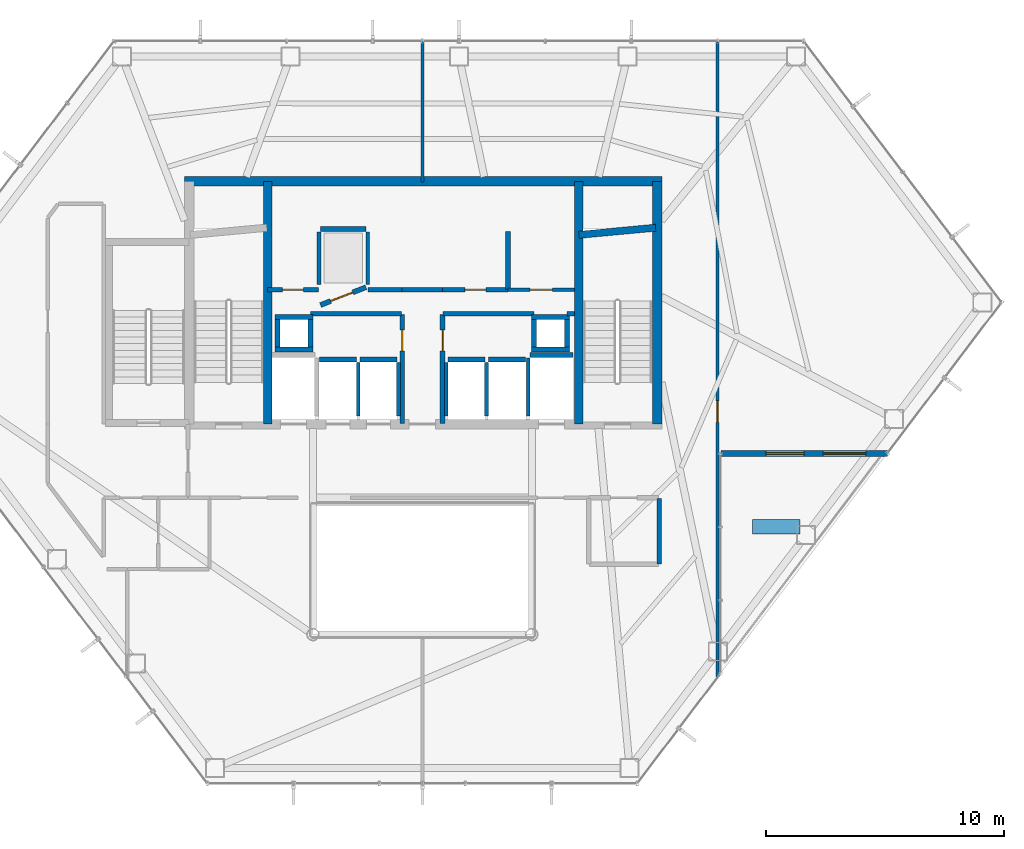
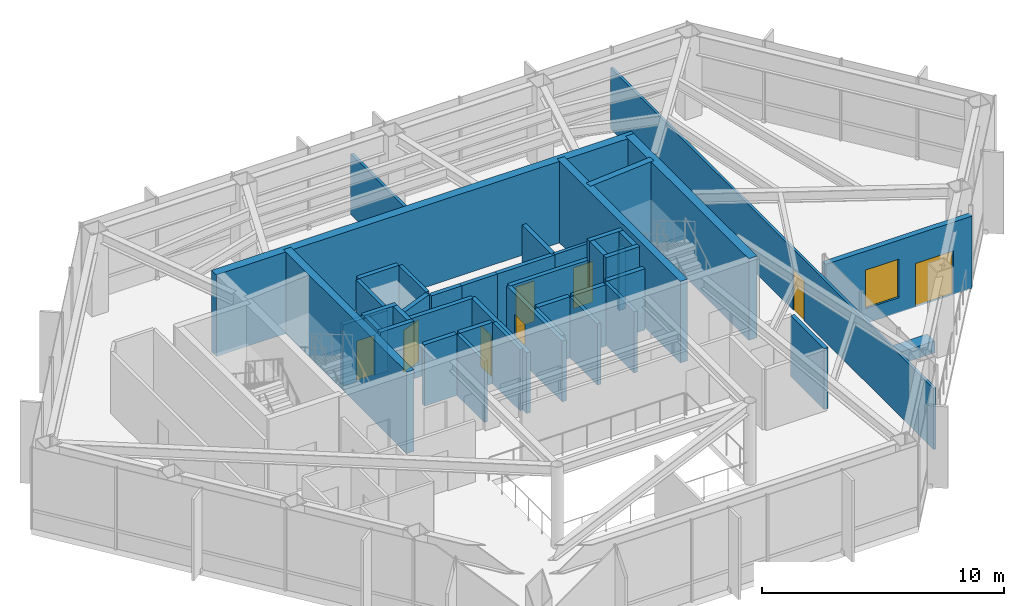
# One storey, part 23 of 27: 43 walls, 8 doors, 1 window, 9 openings.
"""IFC4 building model written with IfcOpenShell, lengths in metres."""

from ifc_helpers import new_model, si_unit, direction, frame, frame_2d, origin, place, context, subcontext, project, spatial, rectangle, extrude, material, layer, layer_set, type_object, element, fill, save


model = new_model("IFC4")

# Units and contexts
model_context = context("Model", 3, precision=1e-05, world=origin(), true_north=direction((0.0, 1.0)))
body_context = subcontext(model_context, "Body", "Model", "MODEL_VIEW")
ifc_project = project(units=[si_unit("LENGTHUNIT", "METRE"), si_unit("AREAUNIT", "SQUARE_METRE"), si_unit("VOLUMEUNIT", "CUBIC_METRE"), si_unit("PLANEANGLEUNIT", "RADIAN"), si_unit("MASSUNIT", "GRAM", prefix="KILO")], contexts=[model_context])

# Site, building, storey
site_placement = place(None, origin())
site = spatial("IfcSite", under=ifc_project, at=site_placement, CompositionType="ELEMENT")
building_placement = place(site_placement, origin())
building = spatial("IfcBuilding", under=site, at=building_placement, Name="Zarrinselat Tower", CompositionType="ELEMENT")
storey_placement = place(building_placement, frame((0.0, 0.0, 114.580078125)))
storey = spatial("IfcBuildingStorey", under=building, at=storey_placement, Name="L27", CompositionType="ELEMENT", Elevation=114.580078125)

# Wall, openings, door, window
ifc_material_1 = material(Name="Honed Cream Travertine Stone", Category="masonry")
ifc_layer_1 = layer(ifc_material_1, 0.260009765625)
ifc_layer_set_1 = layer_set([ifc_layer_1], Name="Honed Cream Travertine Stone")
wall_type_1 = type_object("IfcWallType", Name="WAL-EXT-STONE-260", PredefinedType="STANDARD", material=ifc_layer_set_1)
wall_1_placement = place(storey_placement, frame((57.9384765625, 32.014892578125, 0.0), z_axis=(0.0, 0.0, 1.0), x_axis=(-1.0, 0.0, 0.0)))
wall_1 = element("IfcWall", 1, at=wall_1_placement, inside=storey, type_object=wall_type_1, Name="L27 Garden Terrace Portal Wall", PredefinedType="STANDARD", context=body_context, shape_type="SweptSolid", body=[
    extrude(rectangle(XDim=6.991943359375, YDim=0.260009765625, at=frame_2d((3.49609375, 0.0))), origin(), (0.0, 0.0, 1.0), 3.64990234375),
])
opening_1_placement = place(wall_1_placement, frame((0.89990234375, 0.0, 0.0)))
opening_1 = element("IfcOpeningElement", 2, at=opening_1_placement, cuts=wall_1, Name="Opening ED-04", PredefinedType="OPENING", context=body_context, shape_type="SweptSolid", body=[
    extrude(rectangle(XDim=1.800048828125, YDim=2.199951171875, at=frame_2d((0.89990234375, 1.10009765625))), frame((0.0, 0.139892578125, 0.0), z_axis=(0.0, -1.0, 0.0), x_axis=(1.0, 0.0, 0.0)), (0.0, 0.0, 1.0), 0.280029296875),
])
opening_2_placement = place(wall_1_placement, frame((3.5, 0.0, 0.75)))
opening_2 = element("IfcOpeningElement", 3, at=opening_2_placement, cuts=wall_1, Name="Opening WN-4", PredefinedType="OPENING", context=body_context, shape_type="SweptSolid", body=[
    extrude(rectangle(XDim=1.60009765625, YDim=1.949951171875, at=frame_2d((0.800048828125, 0.97509765625))), frame((0.0, 0.139892578125, 0.0), z_axis=(0.0, -1.0, 0.0), x_axis=(1.0, 0.0, 0.0)), (0.0, 0.0, 1.0), 0.280029296875),
])
ifc_material_2 = material(Name="Double Low-E Laminated Solar Glass", Category="glass")
door_type_1 = type_object("IfcDoorType", Name="DR-EXT-TERR-1800", OperationType="NOTDEFINED", PredefinedType="DOOR", material=ifc_material_2)
door_1_placement = place(opening_1_placement, origin())
door_1 = element("IfcDoor", 4, at=door_1_placement, inside=storey, type_object=door_type_1, Name="L27 Outdoor Garden Terrace Double Door", OperationType="DOUBLE_DOOR_SINGLE_SWING", OverallHeight=2.199951171875, OverallWidth=1.800048828125, PredefinedType="DOOR", context=body_context, shape_type="SweptSolid", body=[
    extrude(rectangle(XDim=1.800048828125, YDim=2.199951171875, at=frame_2d((0.89990234375, 1.10009765625))), frame((0.0, 0.02490234375, 0.0), z_axis=(0.0, -1.0, 0.0), x_axis=(1.0, 0.0, 0.0)), (0.0, 0.0, 1.0), 0.050048828125),
])
fill(opening_1, door_1)
ifc_material_3 = material(Name="Double Low-E Laminated Solar Glass", Category="glass")
window_type = type_object("IfcWindowType", Name="WIN-SKYG-1600", PartitioningType="SINGLE_PANEL", PredefinedType="WINDOW", material=ifc_material_3)
window_placement = place(opening_2_placement, origin())
window = element("IfcWindow", 5, at=window_placement, inside=storey, type_object=window_type, Name="L27 Garden Pavilion Window L", OverallHeight=1.949951171875, OverallWidth=1.60009765625, PartitioningType="SINGLE_PANEL", PredefinedType="WINDOW", context=body_context, shape_type="SweptSolid", body=[
    extrude(rectangle(XDim=1.60009765625, YDim=1.949951171875, at=frame_2d((0.800048828125, 0.97509765625))), frame((0.0, 0.030029296875, 0.0), z_axis=(0.0, -1.0, 0.0), x_axis=(1.0, 0.0, 0.0)), (0.0, 0.0, 1.0), 0.06005859375),
])
fill(opening_2, window)

# Wall
ifc_material_4 = material(Name="Concrete C40/50", Category="concrete")
ifc_layer_2 = layer(ifc_material_4, 0.18994140625)
ifc_layer_set_2 = layer_set([ifc_layer_2], Name="Concrete C40/50")
wall_type_2 = type_object("IfcWallType", Name="WAL-PART-EI120", PredefinedType="PARTITIONING", material=ifc_layer_set_2)
wall_2_placement = place(storey_placement, frame((48.35009765625, 27.3701171875, 0.0), z_axis=(0.0, 0.0, 1.0), x_axis=(0.0, 1.0, 0.0)))
element("IfcWall", 6, at=wall_2_placement, inside=storey, type_object=wall_type_2, Name="L27 Partition Wall 19", PredefinedType="PARTITIONING", context=body_context, shape_type="SweptSolid", body=[
    extrude(rectangle(XDim=2.759765625, YDim=0.18994140625, at=frame_2d((1.3798828125, 0.0))), origin(), (0.0, 0.0, 1.0), 3.076904296875),
])

# Wall, opening, door
ifc_material_5 = material(Name="Fire-Rated Gypsum Board Partition", Category="gypsum")
ifc_layer_3 = layer(ifc_material_5, 0.14990234375)
ifc_layer_set_3 = layer_set([ifc_layer_3], Name="Fire-Rated Gypsum Board Partition")
wall_type_3 = type_object("IfcWallType", Name="WAL-PART-EI60", PredefinedType="PARTITIONING", material=ifc_layer_set_3)
wall_3_placement = place(storey_placement, frame((42.0048828125, 38.889892578125, 0.0), z_axis=(0.0, 0.0, 1.0), x_axis=(1.0, 0.0, 0.0)))
wall_3 = element("IfcWall", 7, at=wall_3_placement, inside=storey, type_object=wall_type_3, Name="L27 Partition Wall 7", PredefinedType="PARTITIONING", context=body_context, shape_type="SweptSolid", body=[
    extrude(rectangle(XDim=2.780029296875, YDim=0.14990234375, at=frame_2d((1.39013671875, 0.0))), origin(), (0.0, 0.0, 1.0), 3.076904296875),
])
opening_3_placement = place(wall_3_placement, frame((0.919921875, 0.0, 0.0)))
opening_3 = element("IfcOpeningElement", 8, at=opening_3_placement, cuts=wall_3, Name="Opening ID-04", PredefinedType="OPENING", context=body_context, shape_type="SweptSolid", body=[
    extrude(rectangle(XDim=0.93994140625, YDim=2.050048828125, at=frame_2d((0.469970703125, 1.02490234375))), frame((0.0, 0.0849609375, 0.0), z_axis=(0.0, -1.0, 0.0), x_axis=(1.0, 0.0, 0.0)), (0.0, 0.0, 1.0), 0.169921875),
])
ifc_material_6 = material(Name="Fire-Rated Gypsum Board Partition")
door_type_2 = type_object("IfcDoorType", Name="DR-INT-FD30-ENT", OperationType="NOTDEFINED", PredefinedType="DOOR", material=ifc_material_6)
door_2_placement = place(opening_3_placement, origin())
door_2 = element("IfcDoor", 9, at=door_2_placement, inside=storey, type_object=door_type_2, Name="L27 Interior Door P7", OperationType="SINGLE_SWING_LEFT", OverallHeight=2.050048828125, OverallWidth=0.93994140625, PredefinedType="DOOR", context=body_context, shape_type="SweptSolid", body=[
    extrude(rectangle(XDim=0.93994140625, YDim=2.050048828125, at=frame_2d((0.469970703125, 1.02490234375))), frame((0.0, 0.02490234375, 0.0), z_axis=(0.0, -1.0, 0.0), x_axis=(1.0, 0.0, 0.0)), (0.0, 0.0, 1.0), 0.050048828125),
])
fill(opening_3, door_2)

ifc_material_7 = material(Name="Concrete C40/50", Category="concrete")
ifc_layer_4 = layer(ifc_material_7, 0.199951171875)
ifc_layer_set_4 = layer_set([ifc_layer_4], Name="Concrete C40/50")
wall_type_4 = type_object("IfcWallType", Name="WAL-PART-PLANT", PredefinedType="PARTITIONING", material=ifc_layer_set_4)
wall_4_placement = place(storey_placement, frame((37.550048828125, 33.264892578125, 0.0), z_axis=(0.0, 0.0, 1.0), x_axis=(0.0, 1.0, 0.0)))
wall_4 = element("IfcWall", 10, at=wall_4_placement, inside=storey, type_object=wall_type_4, Name="L27 Partition Wall 1", PredefinedType="PARTITIONING", context=body_context, shape_type="SweptSolid", body=[
    extrude(rectangle(XDim=4.59521484375, YDim=0.199951171875, at=frame_2d((2.297607421875, 0.0))), origin(), (0.0, 0.0, 1.0), 3.076904296875),
])
opening_4_placement = place(wall_4_placement, frame((3.0576171875, 0.0, 0.0)))
opening_4 = element("IfcOpeningElement", 11, at=opening_4_placement, cuts=wall_4, Name="Opening ID-03", PredefinedType="OPENING", context=body_context, shape_type="SweptSolid", body=[
    extrude(rectangle(XDim=0.8798828125, YDim=2.050048828125, at=frame_2d((0.43994140625, 1.02490234375))), frame((0.0, 0.10986328125, 0.0), z_axis=(0.0, -1.0, 0.0), x_axis=(1.0, 0.0, 0.0)), (0.0, 0.0, 1.0), 0.219970703125),
])
ifc_material_8 = material(Name="Steel S355J2", Category="steel")
door_type_3 = type_object("IfcDoorType", Name="DR-INT-FD60-S", OperationType="NOTDEFINED", PredefinedType="DOOR", material=ifc_material_8)
door_3_placement = place(opening_4_placement, origin())
door_3 = element("IfcDoor", 12, at=door_3_placement, inside=storey, type_object=door_type_3, Name="L27 Interior Door P1", OperationType="SINGLE_SWING_RIGHT", OverallHeight=2.050048828125, OverallWidth=0.8798828125, PredefinedType="DOOR", context=body_context, shape_type="SweptSolid", body=[
    extrude(rectangle(XDim=0.8798828125, YDim=2.050048828125, at=frame_2d((0.43994140625, 1.02490234375))), frame((0.0, 0.02490234375, 0.0), z_axis=(0.0, -1.0, 0.0), x_axis=(1.0, 0.0, 0.0)), (0.0, 0.0, 1.0), 0.050048828125),
])
fill(opening_4, door_3)

# Wall
wall_5_placement = place(storey_placement, frame((33.705078125, 37.8798828125, 0.0), z_axis=(0.0, 0.0, 1.0), x_axis=(1.0, 0.0, 0.0)))
element("IfcWall", 13, at=wall_5_placement, inside=storey, type_object=wall_type_4, Name="L27 Partition Wall 2", PredefinedType="PARTITIONING", context=body_context, shape_type="SweptSolid", body=[
    extrude(rectangle(XDim=3.824951171875, YDim=0.199951171875, at=frame_2d((1.91259765625, 0.0))), origin(), (0.0, 0.0, 1.0), 3.076904296875),
])

# Wall, opening, door
wall_6_placement = place(storey_placement, frame((31.885009765625, 38.889892578125, 0.0), z_axis=(0.0, 0.0, 1.0), x_axis=(1.0, 0.0, 0.0)))
wall_6 = element("IfcWall", 14, at=wall_6_placement, inside=storey, type_object=wall_type_4, Name="L27 Partition Wall 3", PredefinedType="PARTITIONING", context=body_context, shape_type="SweptSolid", body=[
    extrude(rectangle(XDim=2.14990234375, YDim=0.199951171875, at=frame_2d((1.074951171875, 0.0))), origin(), (0.0, 0.0, 1.0), 3.076904296875),
])
opening_5_placement = place(wall_6_placement, frame((0.635009765625, 0.0, 0.0)))
opening_5 = element("IfcOpeningElement", 15, at=opening_5_placement, cuts=wall_6, Name="Opening ID-03", PredefinedType="OPENING", context=body_context, shape_type="SweptSolid", body=[
    extrude(rectangle(XDim=0.8798828125, YDim=2.050048828125, at=frame_2d((0.43994140625, 1.02490234375))), frame((0.0, 0.10986328125, 0.0), z_axis=(0.0, -1.0, 0.0), x_axis=(1.0, 0.0, 0.0)), (0.0, 0.0, 1.0), 0.219970703125),
])
door_4_placement = place(opening_5_placement, origin())
door_4 = element("IfcDoor", 16, at=door_4_placement, inside=storey, type_object=door_type_3, Name="L27 Interior Door P3", OperationType="SINGLE_SWING_LEFT", OverallHeight=2.050048828125, OverallWidth=0.8798828125, PredefinedType="DOOR", context=body_context, shape_type="SweptSolid", body=[
    extrude(rectangle(XDim=0.8798828125, YDim=2.050048828125, at=frame_2d((0.43994140625, 1.02490234375))), frame((0.0, 0.02490234375, 0.0), z_axis=(0.0, -1.0, 0.0), x_axis=(1.0, 0.0, 0.0)), (0.0, 0.0, 1.0), 0.050048828125),
])
fill(opening_5, door_4)

# Walls
wall_7_placement = place(storey_placement, frame((36.114990234375, 38.889892578125, 0.0), z_axis=(0.0, 0.0, 1.0), x_axis=(1.0, 0.0, 0.0)))
element("IfcWall", 17, at=wall_7_placement, inside=storey, type_object=wall_type_4, Name="L27 Partition Wall 4", PredefinedType="PARTITIONING", context=body_context, shape_type="SweptSolid", body=[
    extrude(rectangle(XDim=1.43505859375, YDim=0.199951171875, at=frame_2d((0.717529296875, 0.0))), origin(), (0.0, 0.0, 1.0), 3.076904296875),
])
wall_8_placement = place(storey_placement, frame((37.550048828125, 38.889892578125, 0.0), z_axis=(0.0, 0.0, 1.0), x_axis=(1.0, 0.0, 0.0)))
element("IfcWall", 18, at=wall_8_placement, inside=storey, type_object=wall_type_4, Name="L27 Partition Wall 5", PredefinedType="PARTITIONING", context=body_context, shape_type="SweptSolid", body=[
    extrude(rectangle(XDim=1.699951171875, YDim=0.199951171875, at=frame_2d((0.85009765625, 0.0))), origin(), (0.0, 0.0, 1.0), 3.076904296875),
])

# Wall, opening, door
wall_9_placement = place(storey_placement, frame((39.25, 38.889892578125, 0.0), z_axis=(0.0, 0.0, 1.0), x_axis=(1.0, 0.0, 0.0)))
wall_9 = element("IfcWall", 19, at=wall_9_placement, inside=storey, type_object=wall_type_4, Name="L27 Partition Wall 6", PredefinedType="PARTITIONING", context=body_context, shape_type="SweptSolid", body=[
    extrude(rectangle(XDim=2.7451171875, YDim=0.199951171875, at=frame_2d((1.37255859375, 0.0))), origin(), (0.0, 0.0, 1.0), 3.076904296875),
])
opening_6_placement = place(wall_9_placement, frame((0.9326171875, 0.0, 0.0)))
opening_6 = element("IfcOpeningElement", 20, at=opening_6_placement, cuts=wall_9, Name="Opening ID-03", PredefinedType="OPENING", context=body_context, shape_type="SweptSolid", body=[
    extrude(rectangle(XDim=0.8798828125, YDim=2.050048828125, at=frame_2d((0.43994140625, 1.02490234375))), frame((0.0, 0.10986328125, 0.0), z_axis=(0.0, -1.0, 0.0), x_axis=(1.0, 0.0, 0.0)), (0.0, 0.0, 1.0), 0.219970703125),
])
door_5_placement = place(opening_6_placement, origin())
door_5 = element("IfcDoor", 21, at=door_5_placement, inside=storey, type_object=door_type_3, Name="L27 Interior Door P6", OperationType="SINGLE_SWING_RIGHT", OverallHeight=2.050048828125, OverallWidth=0.8798828125, PredefinedType="DOOR", context=body_context, shape_type="SweptSolid", body=[
    extrude(rectangle(XDim=0.8798828125, YDim=2.050048828125, at=frame_2d((0.43994140625, 1.02490234375))), frame((0.0, 0.02490234375, 0.0), z_axis=(0.0, -1.0, 0.0), x_axis=(1.0, 0.0, 0.0)), (0.0, 0.0, 1.0), 0.050048828125),
])
fill(opening_6, door_5)

# Walls
wall_10_placement = place(storey_placement, frame((39.27001953125, 37.8798828125, 0.0), z_axis=(0.0, 0.0, 1.0), x_axis=(1.0, 0.0, 0.0)))
element("IfcWall", 22, at=wall_10_placement, inside=storey, type_object=wall_type_4, Name="L27 Partition Wall 8", PredefinedType="PARTITIONING", context=body_context, shape_type="SweptSolid", body=[
    extrude(rectangle(XDim=3.824951171875, YDim=0.199951171875, at=frame_2d((1.91259765625, 0.0))), origin(), (0.0, 0.0, 1.0), 3.076904296875),
])
wall_11_placement = place(storey_placement, frame((44.485107421875, 37.8798828125, 0.0), z_axis=(0.0, 0.0, 1.0), x_axis=(1.0, 0.0, 0.0)))
element("IfcWall", 23, at=wall_11_placement, inside=storey, type_object=wall_type_4, Name="L27 Partition Wall 9", PredefinedType="PARTITIONING", context=body_context, shape_type="SweptSolid", body=[
    extrude(rectangle(XDim=0.2998046875, YDim=0.199951171875, at=frame_2d((0.14990234375, 0.0))), origin(), (0.0, 0.0, 1.0), 3.076904296875),
])

# Wall, opening, door
wall_12_placement = place(storey_placement, frame((39.25, 33.264892578125, 0.0), z_axis=(0.0, 0.0, 1.0), x_axis=(0.0, 1.0, 0.0)))
wall_12 = element("IfcWall", 24, at=wall_12_placement, inside=storey, type_object=wall_type_4, Name="L27 Partition Wall 10", PredefinedType="PARTITIONING", context=body_context, shape_type="SweptSolid", body=[
    extrude(rectangle(XDim=4.59521484375, YDim=0.199951171875, at=frame_2d((2.297607421875, 0.0))), origin(), (0.0, 0.0, 1.0), 3.076904296875),
])
opening_7_placement = place(wall_12_placement, frame((3.0576171875, 0.0, 0.0)))
opening_7 = element("IfcOpeningElement", 25, at=opening_7_placement, cuts=wall_12, Name="Opening ID-03", PredefinedType="OPENING", context=body_context, shape_type="SweptSolid", body=[
    extrude(rectangle(XDim=0.8798828125, YDim=2.050048828125, at=frame_2d((0.43994140625, 1.02490234375))), frame((0.0, 0.10986328125, 0.0), z_axis=(0.0, -1.0, 0.0), x_axis=(1.0, 0.0, 0.0)), (0.0, 0.0, 1.0), 0.219970703125),
])
door_6_placement = place(opening_7_placement, origin())
door_6 = element("IfcDoor", 26, at=door_6_placement, inside=storey, type_object=door_type_3, Name="L27 Interior Door P10", OperationType="SINGLE_SWING_RIGHT", OverallHeight=2.050048828125, OverallWidth=0.8798828125, PredefinedType="DOOR", context=body_context, shape_type="SweptSolid", body=[
    extrude(rectangle(XDim=0.8798828125, YDim=2.050048828125, at=frame_2d((0.43994140625, 1.02490234375))), frame((0.0, 0.02490234375, 0.0), z_axis=(0.0, -1.0, 0.0), x_axis=(1.0, 0.0, 0.0)), (0.0, 0.0, 1.0), 0.050048828125),
])
fill(opening_7, door_6)

# Wall
wall_13_placement = place(storey_placement, frame((42.0, 38.909912109375, 0.0), z_axis=(0.0, 0.0, 1.0), x_axis=(0.0, 1.0, 0.0)))
element("IfcWall", 27, at=wall_13_placement, inside=storey, type_object=wall_type_4, Name="L27 Partition Wall 11", PredefinedType="PARTITIONING", context=body_context, shape_type="SweptSolid", body=[
    extrude(rectangle(XDim=2.440185546875, YDim=0.199951171875, at=frame_2d((1.22021484375, 0.0))), origin(), (0.0, 0.0, 1.0), 3.076904296875),
])

# Wall, opening, door
ifc_material_9 = material(Name="Fire-Rated Gypsum Board Partition", Category="gypsum")
ifc_layer_5 = layer(ifc_material_9, 0.1201171875)
ifc_layer_set_5 = layer_set([ifc_layer_5], Name="Fire-Rated Gypsum Board Partition")
wall_type_5 = type_object("IfcWallType", Name="WAL-PART-STD", PredefinedType="PARTITIONING", material=ifc_layer_set_5)
wall_14_placement = place(storey_placement, frame((50.800048828125, 22.607421875, 0.0), z_axis=(0.0, 0.0, 1.0), x_axis=(0.0, 1.0, 0.0)))
wall_14 = element("IfcWall", 28, at=wall_14_placement, inside=storey, type_object=wall_type_5, Name="L27 Partition Wall 37", PredefinedType="PARTITIONING", context=body_context, shape_type="SweptSolid", body=[
    extrude(rectangle(XDim=26.721923828125, YDim=0.1201171875, at=frame_2d((13.36083984375, 0.0))), origin(), (0.0, 0.0, 1.0), 3.076904296875),
])
opening_8_placement = place(wall_14_placement, frame((10.7109375, 0.0, 0.0)))
opening_8 = element("IfcOpeningElement", 29, at=opening_8_placement, cuts=wall_14, Name="Opening ID-05", PredefinedType="OPENING", context=body_context, shape_type="SweptSolid", body=[
    extrude(rectangle(XDim=0.89990234375, YDim=2.050048828125, at=frame_2d((0.449951171875, 1.02490234375))), frame((0.0, 0.070068359375, 0.0), z_axis=(0.0, -1.0, 0.0), x_axis=(1.0, 0.0, 0.0)), (0.0, 0.0, 1.0), 0.14013671875),
])
ifc_material_10 = material(Name="Extruded Aluminium Alloy EN AW-6063 T6", Category="aluminium")
door_type_4 = type_object("IfcDoorType", Name="DR-INT-STD-920", OperationType="NOTDEFINED", PredefinedType="DOOR", material=ifc_material_10)
door_7_placement = place(opening_8_placement, origin())
door_7 = element("IfcDoor", 30, at=door_7_placement, inside=storey, type_object=door_type_4, Name="L27 Interior Door P37", OperationType="SINGLE_SWING_RIGHT", OverallHeight=2.050048828125, OverallWidth=0.89990234375, PredefinedType="DOOR", context=body_context, shape_type="SweptSolid", body=[
    extrude(rectangle(XDim=0.89990234375, YDim=2.050048828125, at=frame_2d((0.449951171875, 1.02490234375))), frame((0.0, 0.02490234375, 0.0), z_axis=(0.0, -1.0, 0.0), x_axis=(1.0, 0.0, 0.0)), (0.0, 0.0, 1.0), 0.050048828125),
])
fill(opening_8, door_7)

# Walls
ifc_material_11 = material(Name="Fire-Rated Gypsum Board Partition", Category="gypsum")
ifc_layer_6 = layer(ifc_material_11, 0.135009765625)
ifc_layer_set_6 = layer_set([ifc_layer_6], Name="Fire-Rated Gypsum Board Partition")
wall_type_6 = type_object("IfcWallType", Name="WAL-PART-WET", PredefinedType="PARTITIONING", material=ifc_layer_set_6)
wall_15_placement = place(storey_placement, frame((38.39990234375, 43.4150390625, 0.0), z_axis=(0.0, 0.0, 1.0), x_axis=(0.0, 1.0, 0.0)))
element("IfcWall", 31, at=wall_15_placement, inside=storey, type_object=wall_type_6, Name="L27 Partition Wall 36", PredefinedType="PARTITIONING", context=body_context, shape_type="SweptSolid", body=[
    extrude(rectangle(XDim=5.914306640625, YDim=0.135009765625, at=frame_2d((2.95703125, 0.0))), origin(), (0.0, 0.0, 1.0), 3.076904296875),
])
ifc_material_12 = material(Name="Honed Cream Travertine Stone", Category="masonry")
ifc_layer_7 = layer(ifc_material_12, 0.199951171875)
ifc_layer_set_7 = layer_set([ifc_layer_7], Name="Honed Cream Travertine Stone")
wall_type_7 = type_object("IfcWallType", Name="WAL-PLANTER-200", PredefinedType="PARAPET", material=ifc_layer_set_7)
wall_16_placement = place(storey_placement, frame((52.273193359375, 28.9287109375, 0.0), z_axis=(0.0, 0.0, 1.0), x_axis=(1.0, 0.0, 0.0)))
element("IfcWall", 32, at=wall_16_placement, inside=storey, type_object=wall_type_7, Name="L27 Badgir Sky Garden Stone PLANTER Bed", PredefinedType="PARAPET", context=body_context, shape_type="SweptSolid", body=[
    extrude(rectangle(XDim=2.0, YDim=0.60009765625, at=frame_2d((1.0, 0.0))), origin(), (0.0, 0.0, 1.0), 0.599853515625),
])
ifc_material_13 = material(Name="Concrete C40/50", Category="concrete")
ifc_layer_8 = layer(ifc_material_13, 0.2099609375)
ifc_layer_set_8 = layer_set([ifc_layer_8], Name="Concrete C40/50")
wall_type_8 = type_object("IfcWallType", Name="WAL-SHAFT-210", PredefinedType="SOLIDWALL", material=ifc_layer_set_8)
wall_17_placement = place(storey_placement, frame((42.919921875, 36.155029296875, 0.0), z_axis=(0.0, 0.0, 1.0), x_axis=(1.0, 0.0, 0.0)))
element("IfcWall", 33, at=wall_17_placement, inside=storey, type_object=wall_type_8, Name="L27 Lift FFL2 North Shaft Wall", PredefinedType="SOLIDWALL", context=body_context, shape_type="SweptSolid", body=[
    extrude(rectangle(XDim=1.800048828125, YDim=0.2099609375, at=frame_2d((0.89990234375, 0.0))), origin(), (0.0, 0.0, 1.0), 3.092041015625),
])
wall_18_placement = place(storey_placement, frame((42.85009765625, 33.580078125, 0.0), z_axis=(0.0, 0.0, 1.0), x_axis=(0.0, 1.0, 0.0)))
element("IfcWall", 34, at=wall_18_placement, inside=storey, type_object=wall_type_8, Name="L27 Lift FFL2 W Shaft Wall", PredefinedType="SOLIDWALL", context=body_context, shape_type="SweptSolid", body=[
    extrude(rectangle(XDim=2.449951171875, YDim=0.159912109375, at=frame_2d((1.22509765625, 0.0))), origin(), (0.0, 0.0, 1.0), 3.092041015625),
])
wall_19_placement = place(storey_placement, frame((34.070068359375, 35.955078125, 0.0), z_axis=(0.0, 0.0, 1.0), x_axis=(1.0, 0.0, 0.0)))
element("IfcWall", 35, at=wall_19_placement, inside=storey, type_object=wall_type_8, Name="L27 Lift PL5 North Shaft Wall", PredefinedType="SOLIDWALL", context=body_context, shape_type="SweptSolid", body=[
    extrude(rectangle(XDim=1.559814453125, YDim=0.2099609375, at=frame_2d((0.77978515625, 0.0))), origin(), (0.0, 0.0, 1.0), 3.092041015625),
])
wall_20_placement = place(storey_placement, frame((35.699951171875, 33.580078125, 0.0), z_axis=(0.0, 0.0, 1.0), x_axis=(0.0, 1.0, 0.0)))
element("IfcWall", 36, at=wall_20_placement, inside=storey, type_object=wall_type_8, Name="L27 Lift PL5 E Shaft Wall", PredefinedType="SOLIDWALL", context=body_context, shape_type="SweptSolid", body=[
    extrude(rectangle(XDim=2.25, YDim=0.159912109375, at=frame_2d((1.125, 0.0))), origin(), (0.0, 0.0, 1.0), 3.092041015625),
])
wall_21_placement = place(storey_placement, frame((35.77001953125, 35.955078125, 0.0), z_axis=(0.0, 0.0, 1.0), x_axis=(1.0, 0.0, 0.0)))
element("IfcWall", 37, at=wall_21_placement, inside=storey, type_object=wall_type_8, Name="L27 Lift PL6 North Shaft Wall", PredefinedType="SOLIDWALL", context=body_context, shape_type="SweptSolid", body=[
    extrude(rectangle(XDim=1.56005859375, YDim=0.2099609375, at=frame_2d((0.780029296875, 0.0))), origin(), (0.0, 0.0, 1.0), 3.092041015625),
])
wall_22_placement = place(storey_placement, frame((37.39990234375, 33.580078125, 0.0), z_axis=(0.0, 0.0, 1.0), x_axis=(0.0, 1.0, 0.0)))
element("IfcWall", 38, at=wall_22_placement, inside=storey, type_object=wall_type_8, Name="L27 Lift PL6 E Shaft Wall", PredefinedType="SOLIDWALL", context=body_context, shape_type="SweptSolid", body=[
    extrude(rectangle(XDim=2.25, YDim=0.159912109375, at=frame_2d((1.125, 0.0))), origin(), (0.0, 0.0, 1.0), 3.092041015625),
])

# Wall, opening, door
wall_23_placement = place(storey_placement, frame((34.1201171875, 38.25, 0.0), z_axis=(0.0, 0.0, 1.0), x_axis=(0.930804993012, 0.36551616241, 0.0)))
wall_23 = element("IfcWall", 39, at=wall_23_placement, inside=storey, type_object=wall_type_8, Name="L27 Lift PL7 Front Shaft Wall", PredefinedType="SOLIDWALL", context=body_context, shape_type="SweptSolid", body=[
    extrude(rectangle(XDim=2.052001953125, YDim=0.2099609375, at=frame_2d((1.02587890625, 0.0))), origin(), (0.0, 0.0, 1.0), 3.092041015625),
])
opening_9_placement = place(wall_23_placement, frame((0.455078125, 0.0, 0.0)))
opening_9 = element("IfcOpeningElement", 40, at=opening_9_placement, cuts=wall_23, Name="Opening LD-PL7", PredefinedType="OPENING", context=body_context, shape_type="SweptSolid", body=[
    extrude(rectangle(XDim=1.0, YDim=2.10009765625, at=frame_2d((0.5, 1.050048828125))), frame((0.0, 0.114990234375, 0.0), z_axis=(0.0, -1.0, 0.0), x_axis=(1.0, 0.0, 0.0)), (0.0, 0.0, 1.0), 0.22998046875),
])
ifc_material_14 = material(Name="Steel S355J2", Category="steel")
door_type_5 = type_object("IfcDoorType", Name="DR-LIFT-PS-1000", OperationType="NOTDEFINED", PredefinedType="DOOR", material=ifc_material_14)
door_8_placement = place(opening_9_placement, origin())
door_8 = element("IfcDoor", 41, at=door_8_placement, inside=storey, type_object=door_type_5, Name="L27 Lift PL7 Sliding Landing Door", OperationType="SLIDING_TO_LEFT", OverallHeight=2.10009765625, OverallWidth=1.0, PredefinedType="DOOR", context=body_context, shape_type="SweptSolid", body=[
    extrude(rectangle(XDim=1.0, YDim=2.10009765625, at=frame_2d((0.5, 1.050048828125))), frame((0.0, 0.02490234375, 0.0), z_axis=(0.0, -1.0, 0.0), x_axis=(1.0, 0.0, 0.0)), (0.0, 0.0, 1.0), 0.050048828125),
])
fill(opening_9, door_8)

# Walls
wall_24_placement = place(storey_placement, frame((34.1201171875, 41.455078125, 0.0), z_axis=(0.0, 0.0, 1.0), x_axis=(1.0, 0.0, 0.0)))
element("IfcWall", 42, at=wall_24_placement, inside=storey, type_object=wall_type_8, Name="L27 Lift PL7 Rear Shaft Wall", PredefinedType="SOLIDWALL", context=body_context, shape_type="SweptSolid", body=[
    extrude(rectangle(XDim=1.909912109375, YDim=0.2099609375, at=frame_2d((0.955078125, 0.0))), origin(), (0.0, 0.0, 1.0), 3.092041015625),
])
for number, where, z_axis, x_axis, name in (
    (43, (34.050048828125, 39.1201171875, 0.0), (0.0, 0.0, 1.0), (0.0, 1.0, 0.0), "L27 Lift PL7 W Shaft Wall"),
    (44, (36.10009765625, 39.1201171875, 0.0), (0.0, 0.0, 1.0), (0.0, 1.0, 0.0), "L27 Lift PL7 E Shaft Wall"),
):
    element("IfcWall", number, at=place(storey_placement, frame(where, z_axis=z_axis, x_axis=x_axis)), inside=storey, type_object=wall_type_8, Name=name, PredefinedType="SOLIDWALL", context=body_context, shape_type="SweptSolid", body=[
        extrude(rectangle(XDim=2.2099609375, YDim=0.159912109375, at=frame_2d((1.10498046875, 0.0))), origin(), (0.0, 0.0, 1.0), 3.092041015625),
    ])
wall_25_placement = place(storey_placement, frame((39.469970703125, 35.955078125, 0.0), z_axis=(0.0, 0.0, 1.0), x_axis=(1.0, 0.0, 0.0)))
element("IfcWall", 45, at=wall_25_placement, inside=storey, type_object=wall_type_8, Name="L27 Lift PL8 North Shaft Wall", PredefinedType="SOLIDWALL", context=body_context, shape_type="SweptSolid", body=[
    extrude(rectangle(XDim=1.56005859375, YDim=0.2099609375, at=frame_2d((0.780029296875, 0.0))), origin(), (0.0, 0.0, 1.0), 3.092041015625),
])
for number, where, z_axis, x_axis, name in (
    (46, (39.39990234375, 33.580078125, 0.0), (0.0, 0.0, 1.0), (0.0, 1.0, 0.0), "L27 Lift PL8 W Shaft Wall"),
    (47, (41.10009765625, 33.580078125, 0.0), (0.0, 0.0, 1.0), (0.0, 1.0, 0.0), "L27 Lift PL8 E Shaft Wall"),
):
    element("IfcWall", number, at=place(storey_placement, frame(where, z_axis=z_axis, x_axis=x_axis)), inside=storey, type_object=wall_type_8, Name=name, PredefinedType="SOLIDWALL", context=body_context, shape_type="SweptSolid", body=[
        extrude(rectangle(XDim=2.25, YDim=0.159912109375, at=frame_2d((1.125, 0.0))), origin(), (0.0, 0.0, 1.0), 3.092041015625),
    ])
wall_26_placement = place(storey_placement, frame((41.169921875, 35.955078125, 0.0), z_axis=(0.0, 0.0, 1.0), x_axis=(1.0, 0.0, 0.0)))
element("IfcWall", 48, at=wall_26_placement, inside=storey, type_object=wall_type_8, Name="L27 Lift PL9 North Shaft Wall", PredefinedType="SOLIDWALL", context=body_context, shape_type="SweptSolid", body=[
    extrude(rectangle(XDim=1.56005859375, YDim=0.2099609375, at=frame_2d((0.780029296875, 0.0))), origin(), (0.0, 0.0, 1.0), 3.092041015625),
])
for number, where, z_axis, x_axis, name in (
    (49, (32.2099609375, 36.375, 0.0), (0.0, 0.0, 1.0), (1.0, 0.0, 0.0), "L27 Core Riser RSR-W S Shaft Wall"),
    (50, (32.2099609375, 37.7451171875, 0.0), (0.0, 0.0, 1.0), (1.0, 0.0, 0.0), "L27 Core Riser RSR-W N Shaft Wall"),
):
    element("IfcWall", number, at=place(storey_placement, frame(where, z_axis=z_axis, x_axis=x_axis)), inside=storey, type_object=wall_type_8, Name=name, PredefinedType="SOLIDWALL", context=body_context, shape_type="SweptSolid", body=[
        extrude(rectangle(XDim=1.60009765625, YDim=0.2099609375, at=frame_2d((0.800048828125, 0.0))), origin(), (0.0, 0.0, 1.0), 4.119873046875),
    ])
for number, where, z_axis, x_axis, name in (
    (51, (32.31494140625, 36.485107421875, 0.0), (0.0, 0.0, 1.0), (0.0, 1.0, 0.0), "L27 Core Riser RSR-W W Shaft Wall"),
    (52, (33.705078125, 36.485107421875, 0.0), (0.0, 0.0, 1.0), (0.0, 1.0, 0.0), "L27 Core Riser RSR-W E Shaft Wall"),
):
    element("IfcWall", number, at=place(storey_placement, frame(where, z_axis=z_axis, x_axis=x_axis)), inside=storey, type_object=wall_type_8, Name=name, PredefinedType="SOLIDWALL", context=body_context, shape_type="SweptSolid", body=[
        extrude(rectangle(XDim=1.14990234375, YDim=0.2099609375, at=frame_2d((0.574951171875, 0.0))), origin(), (0.0, 0.0, 1.0), 4.119873046875),
    ])
for number, where, z_axis, x_axis, name in (
    (53, (42.989990234375, 36.375, 0.0), (0.0, 0.0, 1.0), (1.0, 0.0, 0.0), "L27 Core Riser RSR-E S Shaft Wall"),
    (54, (42.989990234375, 37.7451171875, 0.0), (0.0, 0.0, 1.0), (1.0, 0.0, 0.0), "L27 Core Riser RSR-E N Shaft Wall"),
):
    element("IfcWall", number, at=place(storey_placement, frame(where, z_axis=z_axis, x_axis=x_axis)), inside=storey, type_object=wall_type_8, Name=name, PredefinedType="SOLIDWALL", context=body_context, shape_type="SweptSolid", body=[
        extrude(rectangle(XDim=1.60009765625, YDim=0.2099609375, at=frame_2d((0.800048828125, 0.0))), origin(), (0.0, 0.0, 1.0), 4.119873046875),
    ])
for number, where, z_axis, x_axis, name in (
    (55, (43.094970703125, 36.485107421875, 0.0), (0.0, 0.0, 1.0), (0.0, 1.0, 0.0), "L27 Core Riser RSR-E W Shaft Wall"),
    (56, (44.485107421875, 36.485107421875, 0.0), (0.0, 0.0, 1.0), (0.0, 1.0, 0.0), "L27 Core Riser RSR-E E Shaft Wall"),
):
    element("IfcWall", number, at=place(storey_placement, frame(where, z_axis=z_axis, x_axis=x_axis)), inside=storey, type_object=wall_type_8, Name=name, PredefinedType="SOLIDWALL", context=body_context, shape_type="SweptSolid", body=[
        extrude(rectangle(XDim=1.14990234375, YDim=0.2099609375, at=frame_2d((0.574951171875, 0.0))), origin(), (0.0, 0.0, 1.0), 4.119873046875),
    ])
ifc_material_15 = material(Name="Concrete C40/50", Category="concrete")
ifc_layer_9 = layer(ifc_material_15, 0.300048828125)
ifc_layer_set_9 = layer_set([ifc_layer_9], Name="Concrete C40/50")
wall_type_9 = type_object("IfcWallType", Name="WAL-SHEAR-300", PredefinedType="SHEAR", material=ifc_layer_set_9)
wall_27_placement = place(storey_placement, frame((44.97998046875, 41.199951171875, 0.0), z_axis=(0.0, 0.0, 1.0), x_axis=(0.995686468965, 0.09278176286, 0.0)))
element("IfcWall", 57, at=wall_27_placement, inside=storey, type_object=wall_type_9, Name="L27 Stair 2 North Shaft Wall", PredefinedType="SHEAR", context=body_context, shape_type="SweptSolid", body=[
    extrude(rectangle(XDim=3.23388671875, YDim=0.300048828125, at=frame_2d((1.616943359375, 0.0))), origin(), (0.0, 0.0, 1.0), 4.119873046875),
])
ifc_material_16 = material(Name="Concrete C50/60", Category="concrete")
ifc_layer_10 = layer(ifc_material_16, 0.35009765625)
ifc_layer_set_10 = layer_set([ifc_layer_10], Name="Concrete C50/60")
wall_type_10 = type_object("IfcWallType", Name="WAL-SHEAR-350", PredefinedType="SHEAR", material=ifc_layer_set_10)
for number, where, z_axis, x_axis, name in (
    (58, (31.89501953125, 33.25, 0.0), (0.0, 0.0, 1.0), (0.0, 1.0, 0.0), "L27 Core Shear Wall ST1E"),
    (59, (44.965087890625, 33.25, 0.0), (0.0, 0.0, 1.0), (0.0, 1.0, 0.0), "L27 Core Shear Wall ST2W"),
):
    element("IfcWall", number, at=place(storey_placement, frame(where, z_axis=z_axis, x_axis=x_axis)), inside=storey, type_object=wall_type_10, Name=name, PredefinedType="SHEAR", context=body_context, shape_type="SweptSolid", body=[
        extrude(rectangle(XDim=10.199951171875, YDim=0.35009765625, at=frame_2d((5.10009765625, 0.0))), origin(), (0.0, 0.0, 1.0), 4.119873046875),
    ])
ifc_material_17 = material(Name="Concrete C60/75", Category="concrete")
ifc_layer_11 = layer(ifc_material_17, 0.39990234375)
ifc_layer_set_11 = layer_set([ifc_layer_11], Name="Concrete C60/75")
wall_type_11 = type_object("IfcWallType", Name="WAL-SHEAR-400", PredefinedType="SHEAR", material=ifc_layer_set_11)
wall_28_placement = place(storey_placement, frame((28.39990234375, 43.449951171875, 0.0), z_axis=(0.0, 0.0, 1.0), x_axis=(1.0, 0.0, 0.0)))
element("IfcWall", 60, at=wall_28_placement, inside=storey, type_object=wall_type_11, Name="L27 North Core Shear Wall", PredefinedType="SHEAR", context=body_context, shape_type="SweptSolid", body=[
    extrude(rectangle(XDim=20.06005859375, YDim=0.39990234375, at=frame_2d((10.030029296875, 0.0))), origin(), (0.0, 0.0, 1.0), 4.119873046875),
])
wall_29_placement = place(storey_placement, frame((48.260009765625, 33.25, 0.0), z_axis=(0.0, 0.0, 1.0), x_axis=(0.0, 1.0, 0.0)))
element("IfcWall", 61, at=wall_29_placement, inside=storey, type_object=wall_type_11, Name="L27 Core Shear Wall E", PredefinedType="SHEAR", context=body_context, shape_type="SweptSolid", body=[
    extrude(rectangle(XDim=10.199951171875, YDim=0.39990234375, at=frame_2d((5.10009765625, 0.0))), origin(), (0.0, 0.0, 1.0), 4.119873046875),
])

save(model, "model.ifc")
